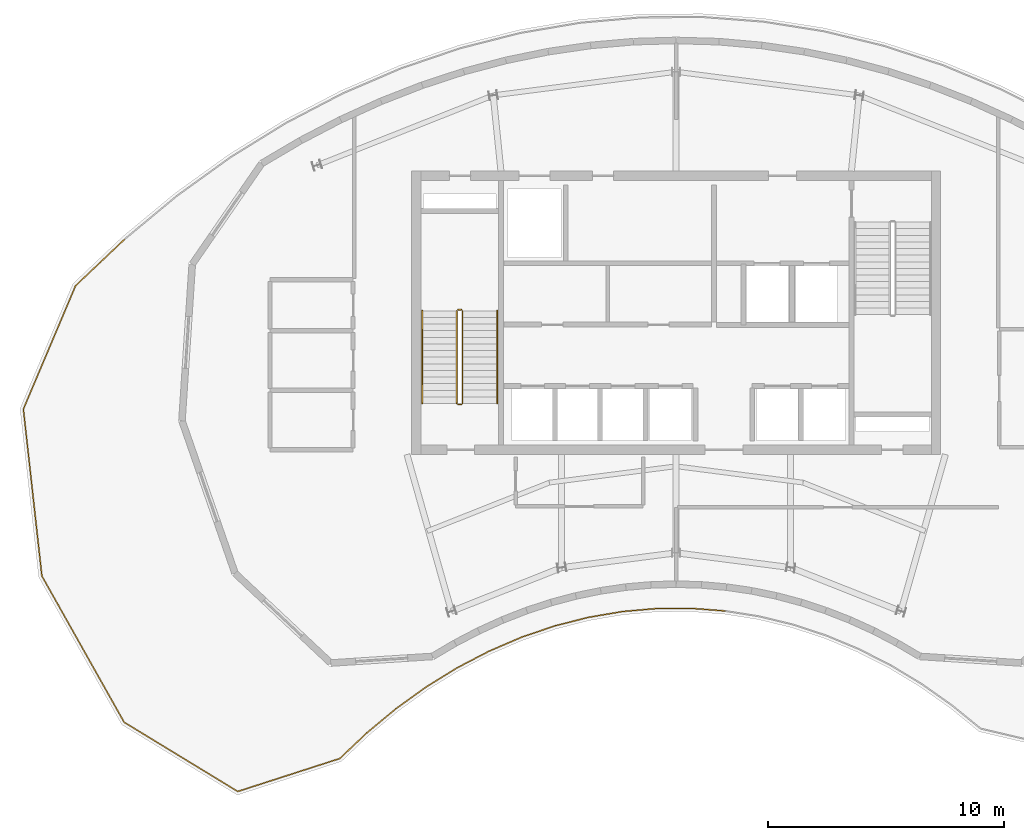
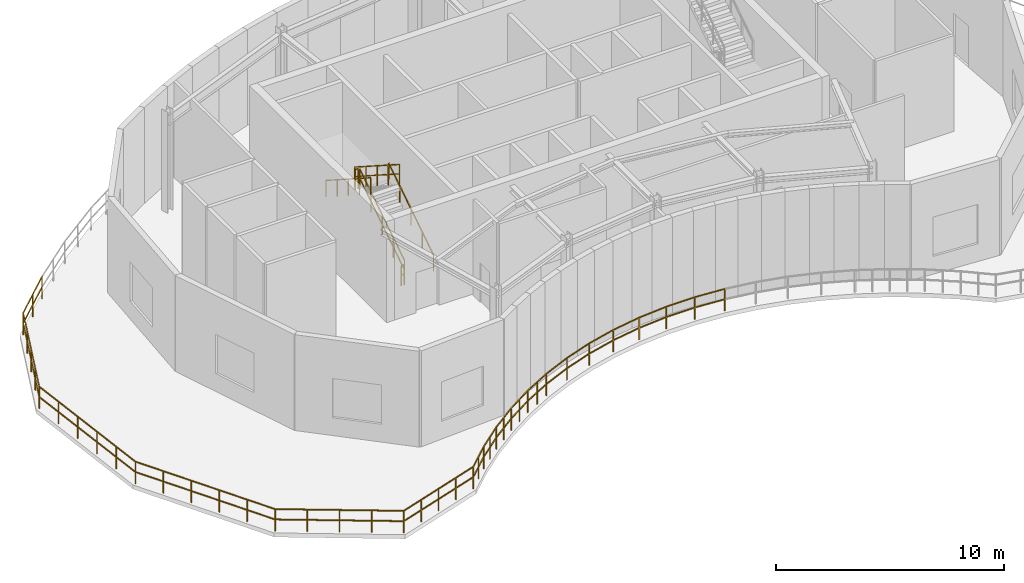
# One storey, part 6 of 8: 9 railings.
"""IFC4 building model written with IfcOpenShell, lengths in metres."""

from ifc_helpers import new_model, si_unit, direction, frame, origin, origin_2d, place, context, subcontext, project, spatial, rectangle, extrude, material, type_object, element, save


model = new_model("IFC4")

# Units and contexts
model_context = context("Model", 3, precision=1e-05, world=origin(), true_north=direction((0.0, 1.0)))
body_context = subcontext(model_context, "Body", "Model", "MODEL_VIEW")
ifc_project = project(units=[si_unit("LENGTHUNIT", "METRE"), si_unit("AREAUNIT", "SQUARE_METRE"), si_unit("VOLUMEUNIT", "CUBIC_METRE"), si_unit("PLANEANGLEUNIT", "RADIAN"), si_unit("MASSUNIT", "GRAM", prefix="KILO")], contexts=[model_context])

# Site, building, storey
site_placement = place(None, origin())
site = spatial("IfcSite", under=ifc_project, at=site_placement, CompositionType="ELEMENT")
building_placement = place(site_placement, origin())
building = spatial("IfcBuilding", under=site, at=building_placement, Name="Breltana Convention Tower", CompositionType="ELEMENT")
storey_placement = place(building_placement, frame((0.0, 0.0, 312.60009765625)))
storey = spatial("IfcBuildingStorey", under=building, at=storey_placement, Name="L76", CompositionType="ELEMENT", Elevation=312.60009765625)

# Railings
ifc_material_1 = material(Name="Stainless Steel 316L", Category="steel")
railing_type_1 = type_object("IfcRailingType", Name="RL-LOOKOUT-1200", PredefinedType="BALUSTRADE", material=ifc_material_1)
railing_1_placement = place(storey_placement, frame((50.074462890625, 53.5751953125, 0.0)))
element("IfcRailing", 1, at=railing_1_placement, inside=storey, type_object=railing_type_1, Name="L76 perimeter balustrade 3", PredefinedType="BALUSTRADE", context=body_context, shape_type="SweptSolid", body=[
    extrude(rectangle(XDim=0.048095703125, YDim=0.048095703125, at=origin_2d()), frame((0.0, 0.0, 1.17578125), z_axis=(-0.994388913179, 0.105786054594, 0.0), x_axis=(-0.105786054594, -0.994388913179, 0.0)), (0.0, 0.0, 1.0), 0.011474609375),
    extrude(rectangle(XDim=0.048095703125, YDim=0.048095703125, at=origin_2d()), frame((0.0, 0.0, 0.6240234375), z_axis=(-0.994388913179, 0.105786054594, 0.0), x_axis=(-0.105786054594, -0.994388913179, 0.0)), (0.0, 0.0, 1.0), 0.011474609375),
    extrude(rectangle(XDim=0.048095703125, YDim=0.048095703125, at=origin_2d()), frame((-0.011474609375, 0.001220703125, 1.17578125), z_axis=(-0.997111060018, 0.075957448544, 0.0), x_axis=(-0.075957448544, -0.997111060018, 0.0)), (0.0, 0.0, 1.0), 1.43994140625),
    extrude(rectangle(XDim=0.048095703125, YDim=0.048095703125, at=origin_2d()), frame((-0.011474609375, 0.001220703125, 0.6240234375), z_axis=(-0.997111060018, 0.075957448544, 0.0), x_axis=(-0.075957448544, -0.997111060018, 0.0)), (0.0, 0.0, 1.0), 1.43994140625),
    extrude(rectangle(XDim=0.048095703125, YDim=0.048095703125, at=origin_2d()), frame((-1.447265625, 0.110595703125, 1.17578125), z_axis=(-0.999095840683, 0.042514716625, 0.0), x_axis=(-0.042514716625, -0.999095840683, 0.0)), (0.0, 0.0, 1.0), 0.011474609375),
    extrude(rectangle(XDim=0.048095703125, YDim=0.048095703125, at=origin_2d()), frame((-1.447265625, 0.110595703125, 0.6240234375), z_axis=(-0.999095840683, 0.042514716625, 0.0), x_axis=(-0.042514716625, -0.999095840683, 0.0)), (0.0, 0.0, 1.0), 0.011474609375),
    extrude(rectangle(XDim=0.048095703125, YDim=0.048095703125, at=origin_2d()), frame((-1.458740234375, 0.111083984375, 1.17578125), z_axis=(-0.999982357135, -0.005940153174, 0.0), x_axis=(0.005940153174, -0.999982357135, 0.0)), (0.0, 0.0, 1.0), 1.4384765625),
    extrude(rectangle(XDim=0.048095703125, YDim=0.048095703125, at=origin_2d()), frame((-1.458740234375, 0.111083984375, 0.6240234375), z_axis=(-0.999982357135, -0.005940153174, 0.0), x_axis=(0.005940153174, -0.999982357135, 0.0)), (0.0, 0.0, 1.0), 1.4384765625),
    extrude(rectangle(XDim=0.048095703125, YDim=0.048095703125, at=origin_2d()), frame((-2.897216796875, 0.1025390625, 1.17578125), z_axis=(-0.999095840683, -0.042514716625, 0.0), x_axis=(0.042514716625, -0.999095840683, 0.0)), (0.0, 0.0, 1.0), 0.011474609375),
    extrude(rectangle(XDim=0.048095703125, YDim=0.048095703125, at=origin_2d()), frame((-2.897216796875, 0.1025390625, 0.6240234375), z_axis=(-0.999095840683, -0.042514716625, 0.0), x_axis=(0.042514716625, -0.999095840683, 0.0)), (0.0, 0.0, 1.0), 0.011474609375),
    extrude(rectangle(XDim=0.048095703125, YDim=0.048095703125, at=origin_2d()), frame((-2.90869140625, 0.10205078125, 1.17578125), z_axis=(-0.99617032352, -0.087433898101, 0.0), x_axis=(0.087433898101, -0.99617032352, 0.0)), (0.0, 0.0, 1.0), 1.44091796875),
    extrude(rectangle(XDim=0.048095703125, YDim=0.048095703125, at=origin_2d()), frame((-2.90869140625, 0.10205078125, 0.6240234375), z_axis=(-0.99617032352, -0.087433898101, 0.0), x_axis=(0.087433898101, -0.99617032352, 0.0)), (0.0, 0.0, 1.0), 1.44091796875),
    extrude(rectangle(XDim=0.048095703125, YDim=0.048095703125, at=origin_2d()), frame((-4.343994140625, -0.02392578125, 1.17578125), z_axis=(-0.991600411186, -0.129339184068, 0.0), x_axis=(0.129339184068, -0.991600411186, 0.0)), (0.0, 0.0, 1.0), 0.01123046875),
    extrude(rectangle(XDim=0.048095703125, YDim=0.048095703125, at=origin_2d()), frame((-4.343994140625, -0.02392578125, 0.6240234375), z_axis=(-0.991600411186, -0.129339184068, 0.0), x_axis=(0.129339184068, -0.991600411186, 0.0)), (0.0, 0.0, 1.0), 0.01123046875),
    extrude(rectangle(XDim=0.048095703125, YDim=0.048095703125, at=origin_2d()), frame((-4.355224609375, -0.025390625, 1.17578125), z_axis=(-0.985757575669, -0.168172536438, 0.0), x_axis=(0.168172536438, -0.985757575669, 0.0)), (0.0, 0.0, 1.0), 1.447265625),
    extrude(rectangle(XDim=0.048095703125, YDim=0.048095703125, at=origin_2d()), frame((-4.355224609375, -0.025390625, 0.6240234375), z_axis=(-0.985757575669, -0.168172536438, 0.0), x_axis=(0.168172536438, -0.985757575669, 0.0)), (0.0, 0.0, 1.0), 1.447265625),
    extrude(rectangle(XDim=0.048095703125, YDim=0.048095703125, at=origin_2d()), frame((-5.781982421875, -0.268798828125, 1.17578125), z_axis=(-0.980580675691, -0.196116135138, 0.0), x_axis=(0.196116135138, -0.980580675691, 0.0)), (0.0, 0.0, 1.0), 0.01123046875),
    extrude(rectangle(XDim=0.048095703125, YDim=0.048095703125, at=origin_2d()), frame((-5.781982421875, -0.268798828125, 0.6240234375), z_axis=(-0.980580675691, -0.196116135138, 0.0), x_axis=(0.196116135138, -0.980580675691, 0.0)), (0.0, 0.0, 1.0), 0.01123046875),
    extrude(rectangle(XDim=0.048095703125, YDim=0.048095703125, at=origin_2d()), frame((-5.79296875, -0.27099609375, 1.17578125), z_axis=(-0.969109544438, -0.246630677083, 0.0), x_axis=(0.246630677083, -0.969109544438, 0.0)), (0.0, 0.0, 1.0), 1.4580078125),
    extrude(rectangle(XDim=0.048095703125, YDim=0.048095703125, at=origin_2d()), frame((-5.79296875, -0.27099609375, 0.6240234375), z_axis=(-0.969109544438, -0.246630677083, 0.0), x_axis=(0.246630677083, -0.969109544438, 0.0)), (0.0, 0.0, 1.0), 1.4580078125),
    extrude(rectangle(XDim=0.0419921875, YDim=0.0419921875, at=origin_2d()), origin(), (0.0, 0.0, 1.0), 1.15185546875),
    extrude(rectangle(XDim=0.0419921875, YDim=0.0419921875, at=origin_2d()), frame((-0.011474609375, 0.001220703125, 0.0)), (0.0, 0.0, 1.0), 1.15185546875),
    extrude(rectangle(XDim=0.0419921875, YDim=0.0419921875, at=origin_2d()), frame((-1.447265625, 0.110595703125, 0.0)), (0.0, 0.0, 1.0), 1.15185546875),
    extrude(rectangle(XDim=0.0419921875, YDim=0.0419921875, at=origin_2d()), frame((-1.458740234375, 0.111083984375, 0.0)), (0.0, 0.0, 1.0), 1.15185546875),
    extrude(rectangle(XDim=0.0419921875, YDim=0.0419921875, at=origin_2d()), frame((-2.897216796875, 0.1025390625, 0.0)), (0.0, 0.0, 1.0), 1.15185546875),
    extrude(rectangle(XDim=0.0419921875, YDim=0.0419921875, at=origin_2d()), frame((-2.90869140625, 0.10205078125, 0.0)), (0.0, 0.0, 1.0), 1.15185546875),
    extrude(rectangle(XDim=0.0419921875, YDim=0.0419921875, at=origin_2d()), frame((-4.343994140625, -0.02392578125, 0.0)), (0.0, 0.0, 1.0), 1.15185546875),
    extrude(rectangle(XDim=0.0419921875, YDim=0.0419921875, at=origin_2d()), frame((-4.355224609375, -0.025390625, 0.0)), (0.0, 0.0, 1.0), 1.15185546875),
    extrude(rectangle(XDim=0.0419921875, YDim=0.0419921875, at=origin_2d()), frame((-5.781982421875, -0.268798828125, 0.0)), (0.0, 0.0, 1.0), 1.15185546875),
    extrude(rectangle(XDim=0.0419921875, YDim=0.0419921875, at=origin_2d()), frame((-5.79296875, -0.27099609375, 0.0)), (0.0, 0.0, 1.0), 1.15185546875),
    extrude(rectangle(XDim=0.0419921875, YDim=0.0419921875, at=origin_2d()), frame((-7.2060546875, -0.630615234375, 0.0)), (0.0, 0.0, 1.0), 1.15185546875),
])
railing_2_placement = place(storey_placement, frame((42.868408203125, 52.944580078125, 0.0)))
element("IfcRailing", 2, at=railing_2_placement, inside=storey, type_object=railing_type_1, Name="L76 perimeter balustrade 4", PredefinedType="BALUSTRADE", context=body_context, shape_type="SweptSolid", body=[
    extrude(rectangle(XDim=0.048095703125, YDim=0.048095703125, at=origin_2d()), frame((0.0, 0.0, 1.17578125), z_axis=(-0.959017708059, -0.283346141017, 0.0), x_axis=(0.283346141017, -0.959017708059, 0.0)), (0.0, 0.0, 1.0), 0.01123046875),
    extrude(rectangle(XDim=0.048095703125, YDim=0.048095703125, at=origin_2d()), frame((0.0, 0.0, 0.6240234375), z_axis=(-0.959017708059, -0.283346141017, 0.0), x_axis=(0.283346141017, -0.959017708059, 0.0)), (0.0, 0.0, 1.0), 0.01123046875),
    extrude(rectangle(XDim=0.048095703125, YDim=0.048095703125, at=origin_2d()), frame((-0.0107421875, -0.003173828125, 1.17578125), z_axis=(-0.946691868141, -0.322140507846, 0.0), x_axis=(0.322140507846, -0.946691868141, 0.0)), (0.0, 0.0, 1.0), 1.47265625),
    extrude(rectangle(XDim=0.048095703125, YDim=0.048095703125, at=origin_2d()), frame((-0.0107421875, -0.003173828125, 0.6240234375), z_axis=(-0.946691868141, -0.322140507846, 0.0), x_axis=(0.322140507846, -0.946691868141, 0.0)), (0.0, 0.0, 1.0), 1.47265625),
    extrude(rectangle(XDim=0.048095703125, YDim=0.048095703125, at=origin_2d()), frame((-1.40478515625, -0.4775390625, 1.17578125), z_axis=(-0.931577619485, -0.363542485653, 0.0), x_axis=(0.363542485653, -0.931577619485, 0.0)), (0.0, 0.0, 1.0), 0.0107421875),
    extrude(rectangle(XDim=0.048095703125, YDim=0.048095703125, at=origin_2d()), frame((-1.40478515625, -0.4775390625, 0.6240234375), z_axis=(-0.931577619485, -0.363542485653, 0.0), x_axis=(0.363542485653, -0.931577619485, 0.0)), (0.0, 0.0, 1.0), 0.0107421875),
    extrude(rectangle(XDim=0.048095703125, YDim=0.048095703125, at=origin_2d()), frame((-1.414794921875, -0.4814453125, 1.17578125), z_axis=(-0.919034877975, -0.394176220828, 0.0), x_axis=(0.394176220828, -0.919034877975, 0.0)), (0.0, 0.0, 1.0), 1.49072265625),
    extrude(rectangle(XDim=0.048095703125, YDim=0.048095703125, at=origin_2d()), frame((-1.414794921875, -0.4814453125, 0.6240234375), z_axis=(-0.919034877975, -0.394176220828, 0.0), x_axis=(0.394176220828, -0.919034877975, 0.0)), (0.0, 0.0, 1.0), 1.49072265625),
    extrude(rectangle(XDim=0.048095703125, YDim=0.048095703125, at=origin_2d()), frame((-2.784912109375, -1.069091796875, 1.17578125), z_axis=(-0.903737838894, -0.428086344739, 0.0), x_axis=(0.428086344739, -0.903737838894, 0.0)), (0.0, 0.0, 1.0), 0.01025390625),
    extrude(rectangle(XDim=0.048095703125, YDim=0.048095703125, at=origin_2d()), frame((-2.784912109375, -1.069091796875, 0.6240234375), z_axis=(-0.903737838894, -0.428086344739, 0.0), x_axis=(0.428086344739, -0.903737838894, 0.0)), (0.0, 0.0, 1.0), 0.01025390625),
    extrude(rectangle(XDim=0.048095703125, YDim=0.048095703125, at=origin_2d()), frame((-2.794189453125, -1.073486328125, 1.17578125), z_axis=(-0.886841011195, -0.462074691865, 0.0), x_axis=(0.462074691865, -0.886841011195, 0.0)), (0.0, 0.0, 1.0), 1.51171875),
    extrude(rectangle(XDim=0.048095703125, YDim=0.048095703125, at=origin_2d()), frame((-2.794189453125, -1.073486328125, 0.6240234375), z_axis=(-0.886841011195, -0.462074691865, 0.0), x_axis=(0.462074691865, -0.886841011195, 0.0)), (0.0, 0.0, 1.0), 1.51171875),
    extrude(rectangle(XDim=0.048095703125, YDim=0.048095703125, at=origin_2d()), frame((-4.134765625, -1.77197265625, 1.17578125), z_axis=(-0.869685915236, -0.493605519458, 0.0), x_axis=(0.493605519458, -0.869685915236, 0.0)), (0.0, 0.0, 1.0), 0.010498046875),
    extrude(rectangle(XDim=0.048095703125, YDim=0.048095703125, at=origin_2d()), frame((-4.134765625, -1.77197265625, 0.6240234375), z_axis=(-0.869685915236, -0.493605519458, 0.0), x_axis=(0.493605519458, -0.869685915236, 0.0)), (0.0, 0.0, 1.0), 0.010498046875),
    extrude(rectangle(XDim=0.048095703125, YDim=0.048095703125, at=origin_2d()), frame((-4.143798828125, -1.777099609375, 1.17578125), z_axis=(-0.850756173541, -0.525560589449, 0.0), x_axis=(0.525560589449, -0.850756173541, 0.0)), (0.0, 0.0, 1.0), 1.535400390625),
    extrude(rectangle(XDim=0.048095703125, YDim=0.048095703125, at=origin_2d()), frame((-4.143798828125, -1.777099609375, 0.6240234375), z_axis=(-0.850756173541, -0.525560589449, 0.0), x_axis=(0.525560589449, -0.850756173541, 0.0)), (0.0, 0.0, 1.0), 1.535400390625),
    extrude(rectangle(XDim=0.048095703125, YDim=0.048095703125, at=origin_2d()), frame((-5.449951171875, -2.583984375, 1.17578125), z_axis=(-0.828283413128, -0.560309367704, 0.0), x_axis=(0.560309367704, -0.828283413128, 0.0)), (0.0, 0.0, 1.0), 0.010009765625),
    extrude(rectangle(XDim=0.048095703125, YDim=0.048095703125, at=origin_2d()), frame((-5.449951171875, -2.583984375, 0.6240234375), z_axis=(-0.828283413128, -0.560309367704, 0.0), x_axis=(0.560309367704, -0.828283413128, 0.0)), (0.0, 0.0, 1.0), 0.010009765625),
    extrude(rectangle(XDim=0.048095703125, YDim=0.048095703125, at=origin_2d()), frame((-5.458251953125, -2.589599609375, 1.17578125), z_axis=(-0.81154027425, -0.584296485758, 0.0), x_axis=(0.584296485758, -0.81154027425, 0.0)), (0.0, 0.0, 1.0), 1.56103515625),
    extrude(rectangle(XDim=0.048095703125, YDim=0.048095703125, at=origin_2d()), frame((-5.458251953125, -2.589599609375, 0.6240234375), z_axis=(-0.81154027425, -0.584296485758, 0.0), x_axis=(0.584296485758, -0.81154027425, 0.0)), (0.0, 0.0, 1.0), 1.56103515625),
    extrude(rectangle(XDim=0.0419921875, YDim=0.0419921875, at=origin_2d()), origin(), (0.0, 0.0, 1.0), 1.15185546875),
    extrude(rectangle(XDim=0.0419921875, YDim=0.0419921875, at=origin_2d()), frame((-0.0107421875, -0.003173828125, 0.0)), (0.0, 0.0, 1.0), 1.15185546875),
    extrude(rectangle(XDim=0.0419921875, YDim=0.0419921875, at=origin_2d()), frame((-1.40478515625, -0.4775390625, 0.0)), (0.0, 0.0, 1.0), 1.15185546875),
    extrude(rectangle(XDim=0.0419921875, YDim=0.0419921875, at=origin_2d()), frame((-1.414794921875, -0.4814453125, 0.0)), (0.0, 0.0, 1.0), 1.15185546875),
    extrude(rectangle(XDim=0.0419921875, YDim=0.0419921875, at=origin_2d()), frame((-2.784912109375, -1.069091796875, 0.0)), (0.0, 0.0, 1.0), 1.15185546875),
    extrude(rectangle(XDim=0.0419921875, YDim=0.0419921875, at=origin_2d()), frame((-2.794189453125, -1.073486328125, 0.0)), (0.0, 0.0, 1.0), 1.15185546875),
    extrude(rectangle(XDim=0.0419921875, YDim=0.0419921875, at=origin_2d()), frame((-3.46435546875, -1.4228515625, 0.0)), (0.0, 0.0, 1.0), 1.15185546875),
    extrude(rectangle(XDim=0.0419921875, YDim=0.0419921875, at=origin_2d()), frame((-4.134765625, -1.77197265625, 0.0)), (0.0, 0.0, 1.0), 1.15185546875),
    extrude(rectangle(XDim=0.0419921875, YDim=0.0419921875, at=origin_2d()), frame((-4.143798828125, -1.777099609375, 0.0)), (0.0, 0.0, 1.0), 1.15185546875),
    extrude(rectangle(XDim=0.0419921875, YDim=0.0419921875, at=origin_2d()), frame((-4.796875, -2.1806640625, 0.0)), (0.0, 0.0, 1.0), 1.15185546875),
    extrude(rectangle(XDim=0.0419921875, YDim=0.0419921875, at=origin_2d()), frame((-5.449951171875, -2.583984375, 0.0)), (0.0, 0.0, 1.0), 1.15185546875),
    extrude(rectangle(XDim=0.0419921875, YDim=0.0419921875, at=origin_2d()), frame((-5.458251953125, -2.589599609375, 0.0)), (0.0, 0.0, 1.0), 1.15185546875),
    extrude(rectangle(XDim=0.0419921875, YDim=0.0419921875, at=origin_2d()), frame((-6.091796875, -3.045654296875, 0.0)), (0.0, 0.0, 1.0), 1.15185546875),
    extrude(rectangle(XDim=0.0419921875, YDim=0.0419921875, at=origin_2d()), frame((-6.72509765625, -3.501708984375, 0.0)), (0.0, 0.0, 1.0), 1.15185546875),
])
railing_3_placement = place(storey_placement, frame((36.143310546875, 49.44287109375, 0.0)))
element("IfcRailing", 3, at=railing_3_placement, inside=storey, type_object=railing_type_1, Name="L76 perimeter balustrade 5", PredefinedType="BALUSTRADE", context=body_context, shape_type="SweptSolid", body=[
    extrude(rectangle(XDim=0.048095703125, YDim=0.048095703125, at=origin_2d()), frame((0.0, 0.0, 1.17578125), z_axis=(-0.8, -0.6, 0.0), x_axis=(0.6, -0.8, 0.0)), (0.0, 0.0, 1.0), 0.009765625),
    extrude(rectangle(XDim=0.048095703125, YDim=0.048095703125, at=origin_2d()), frame((0.0, 0.0, 0.6240234375), z_axis=(-0.8, -0.6, 0.0), x_axis=(0.6, -0.8, 0.0)), (0.0, 0.0, 1.0), 0.009765625),
    extrude(rectangle(XDim=0.048095703125, YDim=0.048095703125, at=origin_2d()), frame((-0.0078125, -0.005859375, 1.17578125), z_axis=(-0.769667719182, -0.638444674227, 0.0), x_axis=(0.638444674227, -0.769667719182, 0.0)), (0.0, 0.0, 1.0), 1.5888671875),
    extrude(rectangle(XDim=0.048095703125, YDim=0.048095703125, at=origin_2d()), frame((-0.0078125, -0.005859375, 0.6240234375), z_axis=(-0.769667719182, -0.638444674227, 0.0), x_axis=(0.638444674227, -0.769667719182, 0.0)), (0.0, 0.0, 1.0), 1.5888671875),
    extrude(rectangle(XDim=0.048095703125, YDim=0.048095703125, at=origin_2d()), frame((-1.230712890625, -1.020263671875, 1.17578125), z_axis=(-0.757409961601, -0.652939622069, 0.0), x_axis=(0.652939622069, -0.757409961601, 0.0)), (0.0, 0.0, 1.0), 0.00927734375),
    extrude(rectangle(XDim=0.048095703125, YDim=0.048095703125, at=origin_2d()), frame((-1.230712890625, -1.020263671875, 0.6240234375), z_axis=(-0.757409961601, -0.652939622069, 0.0), x_axis=(0.652939622069, -0.757409961601, 0.0)), (0.0, 0.0, 1.0), 0.00927734375),
    extrude(rectangle(XDim=0.048095703125, YDim=0.048095703125, at=origin_2d()), frame((-1.23779296875, -1.0263671875, 1.17578125), z_axis=(-0.726013360862, -0.687680594353, 0.0), x_axis=(0.687680594353, -0.726013360862, 0.0)), (0.0, 0.0, 1.0), 1.5859375),
    extrude(rectangle(XDim=0.048095703125, YDim=0.048095703125, at=origin_2d()), frame((-1.23779296875, -1.0263671875, 0.6240234375), z_axis=(-0.726013360862, -0.687680594353, 0.0), x_axis=(0.687680594353, -0.726013360862, 0.0)), (0.0, 0.0, 1.0), 1.5859375),
    extrude(rectangle(XDim=0.048095703125, YDim=0.048095703125, at=origin_2d()), frame((-2.38916015625, -2.116943359375, 1.17578125), z_axis=(-0.951638092405, -0.307221322639, 0.0), x_axis=(0.307221322639, -0.951638092405, 0.0)), (0.0, 0.0, 1.0), 4.536865234375),
    extrude(rectangle(XDim=0.048095703125, YDim=0.048095703125, at=origin_2d()), frame((-2.38916015625, -2.116943359375, 0.6240234375), z_axis=(-0.951638092405, -0.307221322639, 0.0), x_axis=(0.307221322639, -0.951638092405, 0.0)), (0.0, 0.0, 1.0), 4.536865234375),
    extrude(rectangle(XDim=0.048095703125, YDim=0.048095703125, at=origin_2d()), frame((-6.70654296875, -3.5107421875, 1.17578125), z_axis=(-0.853981718976, 0.520303011384, 0.0), x_axis=(-0.520303011384, -0.853981718976, 0.0)), (0.0, 0.0, 1.0), 5.633056640625),
    extrude(rectangle(XDim=0.048095703125, YDim=0.048095703125, at=origin_2d()), frame((-6.70654296875, -3.5107421875, 0.6240234375), z_axis=(-0.853981718976, 0.520303011384, 0.0), x_axis=(-0.520303011384, -0.853981718976, 0.0)), (0.0, 0.0, 1.0), 5.633056640625),
    extrude(rectangle(XDim=0.048095703125, YDim=0.048095703125, at=origin_2d()), frame((-11.51708984375, -0.579833984375, 1.17578125), z_axis=(-0.490181307491, 0.871620494129, 0.0), x_axis=(-0.871620494129, -0.490181307491, 0.0)), (0.0, 0.0, 1.0), 7.10595703125),
    extrude(rectangle(XDim=0.048095703125, YDim=0.048095703125, at=origin_2d()), frame((-11.51708984375, -0.579833984375, 0.6240234375), z_axis=(-0.490181307491, 0.871620494129, 0.0), x_axis=(-0.871620494129, -0.490181307491, 0.0)), (0.0, 0.0, 1.0), 7.10595703125),
    extrude(rectangle(XDim=0.048095703125, YDim=0.048095703125, at=origin_2d()), frame((-15.000244140625, 5.61376953125, 1.17578125), z_axis=(-0.110148792383, 0.993915108818, 0.0), x_axis=(-0.993915108818, -0.110148792383, 0.0)), (0.0, 0.0, 1.0), 7.108154296875),
    extrude(rectangle(XDim=0.048095703125, YDim=0.048095703125, at=origin_2d()), frame((-15.000244140625, 5.61376953125, 0.6240234375), z_axis=(-0.110148792383, 0.993915108818, 0.0), x_axis=(-0.993915108818, -0.110148792383, 0.0)), (0.0, 0.0, 1.0), 7.108154296875),
    extrude(rectangle(XDim=0.048095703125, YDim=0.048095703125, at=origin_2d()), frame((-15.783203125, 12.6787109375, 1.17578125), z_axis=(0.389568403603, 0.920997534695, 0.0), x_axis=(-0.920997534695, 0.389568403603, 0.0)), (0.0, 0.0, 1.0), 5.674072265625),
    extrude(rectangle(XDim=0.048095703125, YDim=0.048095703125, at=origin_2d()), frame((-15.783203125, 12.6787109375, 0.6240234375), z_axis=(0.389568403603, 0.920997534695, 0.0), x_axis=(-0.920997534695, 0.389568403603, 0.0)), (0.0, 0.0, 1.0), 5.674072265625),
    extrude(rectangle(XDim=0.048095703125, YDim=0.048095703125, at=origin_2d()), frame((-13.57275390625, 17.904541015625, 1.17578125), z_axis=(0.726075104327, 0.687615403316, 0.0), x_axis=(-0.687615403316, 0.726075104327, 0.0)), (0.0, 0.0, 1.0), 2.882080078125),
    extrude(rectangle(XDim=0.048095703125, YDim=0.048095703125, at=origin_2d()), frame((-13.57275390625, 17.904541015625, 0.6240234375), z_axis=(0.726075104327, 0.687615403316, 0.0), x_axis=(-0.687615403316, 0.726075104327, 0.0)), (0.0, 0.0, 1.0), 2.882080078125),
    extrude(rectangle(XDim=0.0419921875, YDim=0.0419921875, at=origin_2d()), origin(), (0.0, 0.0, 1.0), 1.15185546875),
    extrude(rectangle(XDim=0.0419921875, YDim=0.0419921875, at=origin_2d()), frame((-0.0078125, -0.005859375, 0.0)), (0.0, 0.0, 1.0), 1.15185546875),
    extrude(rectangle(XDim=0.0419921875, YDim=0.0419921875, at=origin_2d()), frame((-0.619140625, -0.51318359375, 0.0)), (0.0, 0.0, 1.0), 1.15185546875),
    extrude(rectangle(XDim=0.0419921875, YDim=0.0419921875, at=origin_2d()), frame((-1.230712890625, -1.020263671875, 0.0)), (0.0, 0.0, 1.0), 1.15185546875),
    extrude(rectangle(XDim=0.0419921875, YDim=0.0419921875, at=origin_2d()), frame((-1.23779296875, -1.0263671875, 0.0)), (0.0, 0.0, 1.0), 1.15185546875),
    extrude(rectangle(XDim=0.0419921875, YDim=0.0419921875, at=origin_2d()), frame((-1.8134765625, -1.57177734375, 0.0)), (0.0, 0.0, 1.0), 1.15185546875),
    extrude(rectangle(XDim=0.0419921875, YDim=0.0419921875, at=origin_2d()), frame((-2.38916015625, -2.116943359375, 0.0)), (0.0, 0.0, 1.0), 1.15185546875),
    extrude(rectangle(XDim=0.0419921875, YDim=0.0419921875, at=origin_2d()), frame((-3.468505859375, -2.46533203125, 0.0)), (0.0, 0.0, 1.0), 1.15185546875),
    extrude(rectangle(XDim=0.0419921875, YDim=0.0419921875, at=origin_2d()), frame((-4.5478515625, -2.81396484375, 0.0)), (0.0, 0.0, 1.0), 1.15185546875),
    extrude(rectangle(XDim=0.0419921875, YDim=0.0419921875, at=origin_2d()), frame((-5.627197265625, -3.162353515625, 0.0)), (0.0, 0.0, 1.0), 1.15185546875),
    extrude(rectangle(XDim=0.0419921875, YDim=0.0419921875, at=origin_2d()), frame((-6.70654296875, -3.5107421875, 0.0)), (0.0, 0.0, 1.0), 1.15185546875),
    extrude(rectangle(XDim=0.0419921875, YDim=0.0419921875, at=origin_2d()), frame((-7.9091796875, -2.778076171875, 0.0)), (0.0, 0.0, 1.0), 1.15185546875),
    extrude(rectangle(XDim=0.0419921875, YDim=0.0419921875, at=origin_2d()), frame((-9.11181640625, -2.04541015625, 0.0)), (0.0, 0.0, 1.0), 1.15185546875),
    extrude(rectangle(XDim=0.0419921875, YDim=0.0419921875, at=origin_2d()), frame((-10.314453125, -1.3125, 0.0)), (0.0, 0.0, 1.0), 1.15185546875),
    extrude(rectangle(XDim=0.0419921875, YDim=0.0419921875, at=origin_2d()), frame((-11.51708984375, -0.579833984375, 0.0)), (0.0, 0.0, 1.0), 1.15185546875),
    extrude(rectangle(XDim=0.0419921875, YDim=0.0419921875, at=origin_2d()), frame((-12.213623046875, 0.658935546875, 0.0)), (0.0, 0.0, 1.0), 1.15185546875),
    extrude(rectangle(XDim=0.0419921875, YDim=0.0419921875, at=origin_2d()), frame((-12.910400390625, 1.897705078125, 0.0)), (0.0, 0.0, 1.0), 1.15185546875),
    extrude(rectangle(XDim=0.0419921875, YDim=0.0419921875, at=origin_2d()), frame((-13.60693359375, 3.13623046875, 0.0)), (0.0, 0.0, 1.0), 1.15185546875),
    extrude(rectangle(XDim=0.0419921875, YDim=0.0419921875, at=origin_2d()), frame((-14.3037109375, 4.375, 0.0)), (0.0, 0.0, 1.0), 1.15185546875),
    extrude(rectangle(XDim=0.0419921875, YDim=0.0419921875, at=origin_2d()), frame((-15.000244140625, 5.61376953125, 0.0)), (0.0, 0.0, 1.0), 1.15185546875),
    extrude(rectangle(XDim=0.0419921875, YDim=0.0419921875, at=origin_2d()), frame((-15.15673828125, 7.02685546875, 0.0)), (0.0, 0.0, 1.0), 1.15185546875),
    extrude(rectangle(XDim=0.0419921875, YDim=0.0419921875, at=origin_2d()), frame((-15.3134765625, 8.439697265625, 0.0)), (0.0, 0.0, 1.0), 1.15185546875),
    extrude(rectangle(XDim=0.0419921875, YDim=0.0419921875, at=origin_2d()), frame((-15.469970703125, 9.852783203125, 0.0)), (0.0, 0.0, 1.0), 1.15185546875),
    extrude(rectangle(XDim=0.0419921875, YDim=0.0419921875, at=origin_2d()), frame((-15.626708984375, 11.265625, 0.0)), (0.0, 0.0, 1.0), 1.15185546875),
    extrude(rectangle(XDim=0.0419921875, YDim=0.0419921875, at=origin_2d()), frame((-15.783203125, 12.6787109375, 0.0)), (0.0, 0.0, 1.0), 1.15185546875),
    extrude(rectangle(XDim=0.0419921875, YDim=0.0419921875, at=origin_2d()), frame((-15.23046875, 13.985107421875, 0.0)), (0.0, 0.0, 1.0), 1.15185546875),
    extrude(rectangle(XDim=0.0419921875, YDim=0.0419921875, at=origin_2d()), frame((-14.677978515625, 15.29150390625, 0.0)), (0.0, 0.0, 1.0), 1.15185546875),
    extrude(rectangle(XDim=0.0419921875, YDim=0.0419921875, at=origin_2d()), frame((-14.12548828125, 16.59814453125, 0.0)), (0.0, 0.0, 1.0), 1.15185546875),
    extrude(rectangle(XDim=0.0419921875, YDim=0.0419921875, at=origin_2d()), frame((-13.57275390625, 17.904541015625, 0.0)), (0.0, 0.0, 1.0), 1.15185546875),
    extrude(rectangle(XDim=0.0419921875, YDim=0.0419921875, at=origin_2d()), frame((-12.5263671875, 18.8955078125, 0.0)), (0.0, 0.0, 1.0), 1.15185546875),
    extrude(rectangle(XDim=0.0419921875, YDim=0.0419921875, at=origin_2d()), frame((-11.480224609375, 19.88623046875, 0.0)), (0.0, 0.0, 1.0), 1.15185546875),
])
ifc_material_2 = material(Name="Steel S275 Painted", Category="steel")
railing_type_2 = type_object("IfcRailingType", Name="RL-STAIR-GUARD-1100", PredefinedType="GUARDRAIL", material=ifc_material_2)
railing_4_placement = place(storey_placement, frame((38.9599609375, 62.360107421875, 0.179931640625)))
element("IfcRailing", 4, at=railing_4_placement, inside=storey, type_object=railing_type_2, Name="L76 ST-1 stair guard 1", PredefinedType="GUARDRAIL", context=body_context, shape_type="SweptSolid", body=[
    extrude(rectangle(XDim=0.048095703125, YDim=0.048095703125, at=origin_2d()), frame((0.0, 0.0, 1.076171875), z_axis=(0.0, 0.841171666519, 0.540768182723), x_axis=(-1.0, 0.0, 0.0)), (0.0, 0.0, 1.0), 4.66015625),
    extrude(rectangle(XDim=0.048095703125, YDim=0.048095703125, at=origin_2d()), frame((0.0, 0.0, 0.572021484375), z_axis=(0.0, 0.841171666519, 0.540768182723), x_axis=(-1.0, 0.0, 0.0)), (0.0, 0.0, 1.0), 4.66015625),
    extrude(rectangle(XDim=0.0419921875, YDim=0.0419921875, at=origin_2d()), origin(), (0.0, 0.0, 1.0), 1.052001953125),
    extrude(rectangle(XDim=0.0419921875, YDim=0.0419921875, at=origin_2d()), frame((0.0, 0.97998046875, 0.6298828125)), (0.0, 0.0, 1.0), 1.052001953125),
    extrude(rectangle(XDim=0.0419921875, YDim=0.0419921875, at=origin_2d()), frame((0.0, 1.9599609375, 1.260009765625)), (0.0, 0.0, 1.0), 1.052001953125),
    extrude(rectangle(XDim=0.0419921875, YDim=0.0419921875, at=origin_2d()), frame((0.0, 2.93994140625, 1.89013671875)), (0.0, 0.0, 1.0), 1.052001953125),
    extrude(rectangle(XDim=0.0419921875, YDim=0.0419921875, at=origin_2d()), frame((0.0, 3.919921875, 2.52001953125)), (0.0, 0.0, 1.0), 1.052001953125),
])
railing_5_placement = place(storey_placement, frame((38.909912109375, 66.330078125, 2.699951171875)))
element("IfcRailing", 5, at=railing_5_placement, inside=storey, type_object=railing_type_2, Name="L76 ST-1 stair guard 2", PredefinedType="GUARDRAIL", context=body_context, shape_type="SweptSolid", body=[
    extrude(rectangle(XDim=0.048095703125, YDim=0.048095703125, at=origin_2d()), frame((0.0, 0.0, 1.076171875), z_axis=(-1.0, 0.0, 0.0), x_axis=(0.0, -1.0, 0.0)), (0.0, 0.0, 1.0), 0.14990234375),
    extrude(rectangle(XDim=0.048095703125, YDim=0.048095703125, at=origin_2d()), frame((0.0, 0.0, 0.572021484375), z_axis=(-1.0, 0.0, 0.0), x_axis=(0.0, -1.0, 0.0)), (0.0, 0.0, 1.0), 0.14990234375),
    extrude(rectangle(XDim=0.0419921875, YDim=0.0419921875, at=origin_2d()), origin(), (0.0, 0.0, 1.0), 1.052001953125),
    extrude(rectangle(XDim=0.0419921875, YDim=0.0419921875, at=origin_2d()), frame((-0.14990234375, 0.0, 0.0)), (0.0, 0.0, 1.0), 1.052001953125),
])
railing_6_placement = place(storey_placement, frame((38.7099609375, 66.280029296875, 2.8798828125)))
element("IfcRailing", 6, at=railing_6_placement, inside=storey, type_object=railing_type_2, Name="L76 ST-1 stair guard 3", PredefinedType="GUARDRAIL", context=body_context, shape_type="SweptSolid", body=[
    extrude(rectangle(XDim=0.048095703125, YDim=0.048095703125, at=origin_2d()), frame((0.0, 0.0, 1.076171875), z_axis=(0.0, -0.841171666519, 0.540768182723), x_axis=(1.0, 0.0, 0.0)), (0.0, 0.0, 1.0), 4.66015625),
    extrude(rectangle(XDim=0.048095703125, YDim=0.048095703125, at=origin_2d()), frame((0.0, 0.0, 0.572021484375), z_axis=(0.0, -0.841171666519, 0.540768182723), x_axis=(1.0, 0.0, 0.0)), (0.0, 0.0, 1.0), 4.66015625),
    extrude(rectangle(XDim=0.0419921875, YDim=0.0419921875, at=origin_2d()), origin(), (0.0, 0.0, 1.0), 1.052001953125),
    extrude(rectangle(XDim=0.0419921875, YDim=0.0419921875, at=origin_2d()), frame((0.0, -0.97998046875, 0.6298828125)), (0.0, 0.0, 1.0), 1.052001953125),
    extrude(rectangle(XDim=0.0419921875, YDim=0.0419921875, at=origin_2d()), frame((0.0, -1.9599609375, 1.260009765625)), (0.0, 0.0, 1.0), 1.052001953125),
    extrude(rectangle(XDim=0.0419921875, YDim=0.0419921875, at=origin_2d()), frame((0.0, -2.93994140625, 1.89013671875)), (0.0, 0.0, 1.0), 1.052001953125),
    extrude(rectangle(XDim=0.0419921875, YDim=0.0419921875, at=origin_2d()), frame((0.0, -3.919921875, 2.52001953125)), (0.0, 0.0, 1.0), 1.052001953125),
])
railing_7_placement = place(storey_placement, frame((38.909912109375, 62.31005859375, 0.0)))
element("IfcRailing", 7, at=railing_7_placement, inside=storey, type_object=railing_type_2, Name="L76 ST-1 stair guard 4", PredefinedType="GUARDRAIL", context=body_context, shape_type="SweptSolid", body=[
    extrude(rectangle(XDim=0.048095703125, YDim=0.048095703125, at=origin_2d()), frame((0.0, 0.0, 1.076171875), z_axis=(-1.0, 0.0, 0.0), x_axis=(0.0, -1.0, 0.0)), (0.0, 0.0, 1.0), 0.14990234375),
    extrude(rectangle(XDim=0.048095703125, YDim=0.048095703125, at=origin_2d()), frame((0.0, 0.0, 0.572021484375), z_axis=(-1.0, 0.0, 0.0), x_axis=(0.0, -1.0, 0.0)), (0.0, 0.0, 1.0), 0.14990234375),
    extrude(rectangle(XDim=0.0419921875, YDim=0.0419921875, at=origin_2d()), origin(), (0.0, 0.0, 1.0), 1.052001953125),
    extrude(rectangle(XDim=0.0419921875, YDim=0.0419921875, at=origin_2d()), frame((-0.14990234375, 0.0, 0.0)), (0.0, 0.0, 1.0), 1.052001953125),
])
railing_type_3 = type_object("IfcRailingType", Name="RL-STAIR-HANDRAIL-900", PredefinedType="HANDRAIL", material=ifc_material_1)
railing_8_placement = place(storey_placement, frame((40.419921875, 62.360107421875, 0.179931640625)))
element("IfcRailing", 8, at=railing_8_placement, inside=storey, type_object=railing_type_3, Name="L76 ST-1 stair handrail 1", PredefinedType="HANDRAIL", context=body_context, shape_type="SweptSolid", body=[
    extrude(rectangle(XDim=0.048095703125, YDim=0.048095703125, at=origin_2d()), frame((0.0, 0.0, 0.8759765625), z_axis=(0.0, 0.841171666519, 0.540768182723), x_axis=(-1.0, 0.0, 0.0)), (0.0, 0.0, 1.0), 4.66015625),
    extrude(rectangle(XDim=0.0419921875, YDim=0.0419921875, at=origin_2d()), origin(), (0.0, 0.0, 1.0), 0.851806640625),
    extrude(rectangle(XDim=0.0419921875, YDim=0.0419921875, at=origin_2d()), frame((0.0, 0.97998046875, 0.6298828125)), (0.0, 0.0, 1.0), 0.851806640625),
    extrude(rectangle(XDim=0.0419921875, YDim=0.0419921875, at=origin_2d()), frame((0.0, 1.9599609375, 1.260009765625)), (0.0, 0.0, 1.0), 0.851806640625),
    extrude(rectangle(XDim=0.0419921875, YDim=0.0419921875, at=origin_2d()), frame((0.0, 2.93994140625, 1.89013671875)), (0.0, 0.0, 1.0), 0.851806640625),
    extrude(rectangle(XDim=0.0419921875, YDim=0.0419921875, at=origin_2d()), frame((0.0, 3.919921875, 2.52001953125)), (0.0, 0.0, 1.0), 0.851806640625),
])
railing_9_placement = place(storey_placement, frame((37.25, 66.280029296875, 2.8798828125)))
element("IfcRailing", 9, at=railing_9_placement, inside=storey, type_object=railing_type_3, Name="L76 ST-1 stair handrail 2", PredefinedType="HANDRAIL", context=body_context, shape_type="SweptSolid", body=[
    extrude(rectangle(XDim=0.048095703125, YDim=0.048095703125, at=origin_2d()), frame((0.0, 0.0, 0.8759765625), z_axis=(0.0, -0.841171666519, 0.540768182723), x_axis=(1.0, 0.0, 0.0)), (0.0, 0.0, 1.0), 4.66015625),
    extrude(rectangle(XDim=0.0419921875, YDim=0.0419921875, at=origin_2d()), origin(), (0.0, 0.0, 1.0), 0.851806640625),
    extrude(rectangle(XDim=0.0419921875, YDim=0.0419921875, at=origin_2d()), frame((0.0, -0.97998046875, 0.6298828125)), (0.0, 0.0, 1.0), 0.851806640625),
    extrude(rectangle(XDim=0.0419921875, YDim=0.0419921875, at=origin_2d()), frame((0.0, -1.9599609375, 1.260009765625)), (0.0, 0.0, 1.0), 0.851806640625),
    extrude(rectangle(XDim=0.0419921875, YDim=0.0419921875, at=origin_2d()), frame((0.0, -2.93994140625, 1.89013671875)), (0.0, 0.0, 1.0), 0.851806640625),
    extrude(rectangle(XDim=0.0419921875, YDim=0.0419921875, at=origin_2d()), frame((0.0, -3.919921875, 2.52001953125)), (0.0, 0.0, 1.0), 0.851806640625),
])

save(model, "model.ifc")
